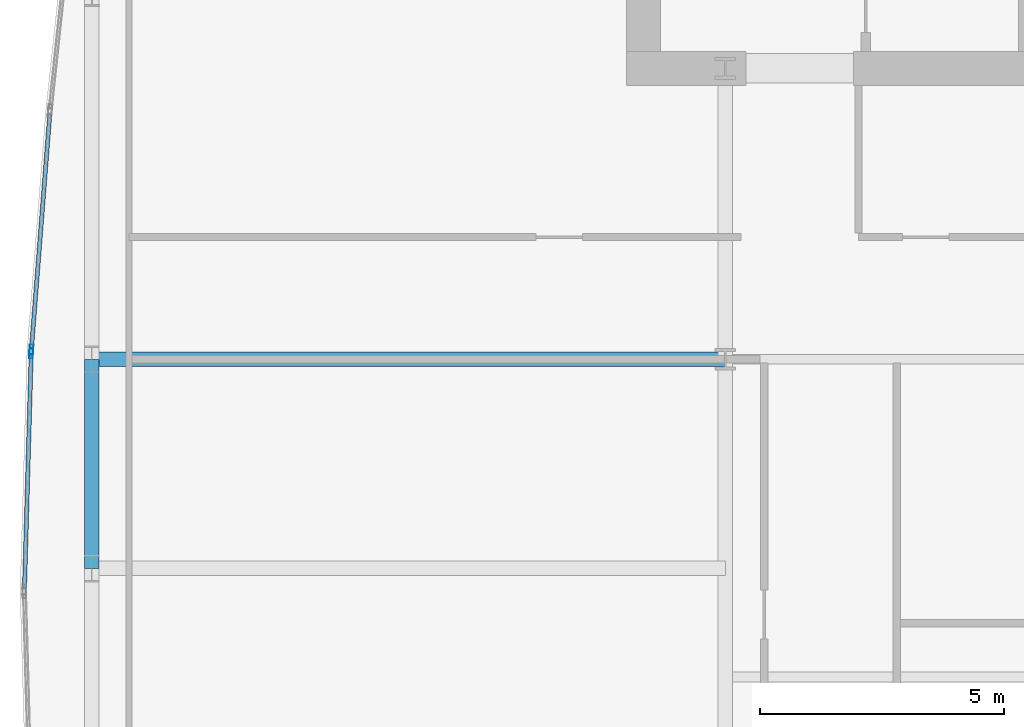
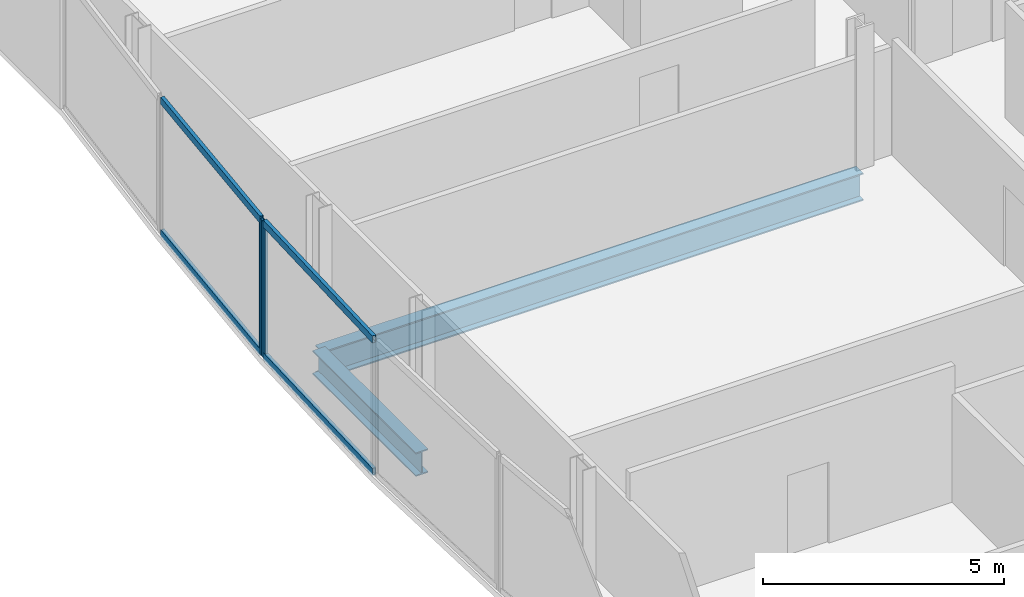
# One storey, part 11 of 29: 6 members, 2 beams, 2 elements without a shape of their own.
"""IFC4 building model written with IfcOpenShell, lengths in metres."""

from ifc_helpers import new_model, si_unit, direction, frame, origin, origin_2d, place, context, subcontext, project, spatial, hollow_rectangle, i_section, extrude, material, material_profile, profile_set, type_object, element, aggregate, save


model = new_model("IFC4")

# Units and contexts
model_context = context("Model", 3, precision=1e-05, world=origin(), true_north=direction((0.0, 1.0)))
body_context = subcontext(model_context, "Body", "Model", "MODEL_VIEW")
ifc_project = project(units=[si_unit("LENGTHUNIT", "METRE"), si_unit("AREAUNIT", "SQUARE_METRE"), si_unit("VOLUMEUNIT", "CUBIC_METRE"), si_unit("PLANEANGLEUNIT", "RADIAN"), si_unit("MASSUNIT", "GRAM", prefix="KILO")], contexts=[model_context])

# Site, building, storey
site_placement = place(None, origin())
site = spatial("IfcSite", under=ifc_project, at=site_placement, CompositionType="ELEMENT")
building_placement = place(site_placement, origin())
building = spatial("IfcBuilding", under=site, at=building_placement, Name="Khoronbel Lancet Exchange", CompositionType="ELEMENT")
storey_placement = place(building_placement, frame((0.0, 0.0, 139.800048828125)))
storey = spatial("IfcBuildingStorey", under=building, at=storey_placement, Name="L34", CompositionType="ELEMENT", Elevation=139.800048828125)

# Beams
ifc_material_1 = material(Name="Steel S355", Category="steel")
ifc_material_profile_1 = material_profile(ifc_material_1, i_section(OverallWidth=0.300048828125, OverallDepth=0.699951171875, WebThickness=0.01708984375, FlangeThickness=0.031982421875, at=origin_2d()), Name="HEB 700")
ifc_profile_set_1 = profile_set([ifc_material_profile_1], Name="Steel S355")
beam_type_1 = type_object("IfcBeamType", Name="BM-BG3", PredefinedType="BEAM", material=ifc_profile_set_1)
beam_1_placement = place(storey_placement, frame((5.27001953125, 35.699951171875, -0.510009765625), z_axis=(1.0, 0.0, 0.0), x_axis=(0.0, 1.0, 0.0)))
element("IfcBeam", 1, at=beam_1_placement, inside=storey, type_object=beam_type_1, Name="Level L34 west lens tie girder LG4W", PredefinedType="BEAM", context=body_context, shape_type="SweptSolid", body=[
    extrude(i_section(OverallWidth=0.300048828125, OverallDepth=0.699951171875, WebThickness=0.01708984375, FlangeThickness=0.031982421875, at=origin_2d()), origin(), (0.0, 0.0, 1.0), 12.955078125),
])
ifc_material_profile_2 = material_profile(ifc_material_1, i_section(OverallWidth=0.300048828125, OverallDepth=0.60009765625, WebThickness=0.015380859375, FlangeThickness=0.030029296875, at=origin_2d()), Name="HEB 600")
ifc_profile_set_2 = profile_set([ifc_material_profile_2], Name="Steel S355")
beam_type_2 = type_object("IfcBeamType", Name="BM-BSP2", PredefinedType="SPANDREL", material=ifc_profile_set_2)
beam_2_placement = place(storey_placement, frame((5.27001953125, 35.699951171875, -0.4599609375), z_axis=(0.0, -1.0, 0.0), x_axis=(1.0, 0.0, 0.0)))
element("IfcBeam", 2, at=beam_2_placement, inside=storey, type_object=beam_type_2, Name="Level L34 perimeter spandrel beam SP18", PredefinedType="SPANDREL", context=body_context, shape_type="SweptSolid", body=[
    extrude(i_section(OverallWidth=0.300048828125, OverallDepth=0.60009765625, WebThickness=0.015380859375, FlangeThickness=0.030029296875, at=origin_2d()), origin(), (0.0, 0.0, 1.0), 4.27490234375),
])

# Curtain wall, member
ifc_material_2 = material(Name="Low-E Solar Control Insulating Glass", Category="glass")
curtain_wall_type = type_object("IfcCurtainWallType", Name="CW-4", PredefinedType="NOTDEFINED", material=ifc_material_2)
curtain_wall_1_placement = place(storey_placement, origin())
curtain_wall_1 = element("IfcCurtainWall", 3, at=curtain_wall_1_placement, inside=storey, type_object=curtain_wall_type, Name="Unitised curtain wall CW-L34-E07", PredefinedType="NOTDEFINED")
ifc_material_3 = material(Name="Bronze-Anodised Aluminium 6063-T6", Category="aluminium")
ifc_material_profile_3 = material_profile(ifc_material_3, hollow_rectangle(XDim=0.074951171875, YDim=0.199951171875, WallThickness=0.0048828125, at=origin_2d()), Name="ALU MULLION 75x200")
ifc_profile_set_3 = profile_set([ifc_material_profile_3], Name="Bronze-Anodised Aluminium 6063-T6")
member_type_1 = type_object("IfcMemberType", Name="MEM-CWM2", PredefinedType="MULLION", material=ifc_profile_set_3)
member_1_placement = place(storey_placement, frame((4.029541015625, 35.824462890625, 0.0), z_axis=(0.0, 0.0, 1.0), x_axis=(-0.999590574553, 0.028612641702, 0.0)))
member_1 = element("IfcMember", 4, at=member_1_placement, type_object=member_type_1, Name="CW4 mullion 2", PredefinedType="MULLION", context=body_context, shape_type="SweptSolid", body=[
    extrude(hollow_rectangle(XDim=0.074951171875, YDim=0.199951171875, WallThickness=0.0048828125, at=origin_2d()), origin(), (0.0, 0.0, 1.0), 3.43994140625),
])

curtain_wall_2_placement = place(storey_placement, origin())
curtain_wall_2 = element("IfcCurtainWall", 5, at=curtain_wall_2_placement, inside=storey, type_object=curtain_wall_type, Name="Unitised curtain wall CW-L34-E08", PredefinedType="NOTDEFINED")
member_2_placement = place(storey_placement, frame((4.033447265625, 35.899169921875, 0.0), z_axis=(0.0, 0.0, 1.0), x_axis=(-0.996959555693, 0.077920756627, 0.0)))
member_2 = element("IfcMember", 6, at=member_2_placement, type_object=member_type_1, Name="CW4 mullion 1", PredefinedType="MULLION", context=body_context, shape_type="SweptSolid", body=[
    extrude(hollow_rectangle(XDim=0.074951171875, YDim=0.199951171875, WallThickness=0.0048828125, at=origin_2d()), origin(), (0.0, 0.0, 1.0), 3.43994140625),
])

# Member
ifc_material_profile_4 = material_profile(ifc_material_3, hollow_rectangle(XDim=0.0849609375, YDim=0.179931640625, WallThickness=0.0048828125, at=origin_2d()), Name="ALU TRANSOM 85x180")
ifc_profile_set_4 = profile_set([ifc_material_profile_4], Name="Bronze-Anodised Aluminium 6063-T6")
member_type_2 = type_object("IfcMemberType", Name="MEM-CWT1", PredefinedType="USERDEFINED", material=ifc_profile_set_4)
member_3_placement = place(storey_placement, frame((3.89208984375, 31.02490234375, 0.04248046875), z_axis=(0.02864755561, 0.999589574554, 0.0), x_axis=(-0.999589574554, 0.02864755561, 0.0)))
member_3 = element("IfcMember", 7, at=member_3_placement, type_object=member_type_2, Name="CW4 transom 1.1", ObjectType="TRANSOM", PredefinedType="USERDEFINED", context=body_context, shape_type="SweptSolid", body=[
    extrude(hollow_rectangle(XDim=0.0849609375, YDim=0.179931640625, WallThickness=0.0048828125, at=origin_2d()), origin(), (0.0, 0.0, 1.0), 4.763916015625),
])

member_4_placement = place(storey_placement, frame((3.89208984375, 31.02490234375, 3.3974609375), z_axis=(0.02864755561, 0.999589574554, 0.0), x_axis=(-0.999589574554, 0.02864755561, 0.0)))
member_4 = element("IfcMember", 8, at=member_4_placement, type_object=member_type_2, Name="CW4 transom 1.2", ObjectType="TRANSOM", PredefinedType="USERDEFINED", context=body_context, shape_type="SweptSolid", body=[
    extrude(hollow_rectangle(XDim=0.0849609375, YDim=0.179931640625, WallThickness=0.0048828125, at=origin_2d()), origin(), (0.0, 0.0, 1.0), 4.763916015625),
])

aggregate(curtain_wall_1, [member_1, member_3, member_4])

member_5_placement = place(storey_placement, frame((4.036376953125, 35.936767578125, 0.04248046875), z_axis=(0.077923377074, 0.996959350879, 0.0), x_axis=(-0.996959350879, 0.077923377074, 0.0)))
member_5 = element("IfcMember", 9, at=member_5_placement, type_object=member_type_2, Name="CW4 transom 1.1", ObjectType="TRANSOM", PredefinedType="USERDEFINED", context=body_context, shape_type="SweptSolid", body=[
    extrude(hollow_rectangle(XDim=0.0849609375, YDim=0.179931640625, WallThickness=0.0048828125, at=origin_2d()), origin(), (0.0, 0.0, 1.0), 4.778076171875),
])

member_6_placement = place(storey_placement, frame((4.036376953125, 35.936767578125, 3.3974609375), z_axis=(0.077923377074, 0.996959350879, 0.0), x_axis=(-0.996959350879, 0.077923377074, 0.0)))
member_6 = element("IfcMember", 10, at=member_6_placement, type_object=member_type_2, Name="CW4 transom 1.2", ObjectType="TRANSOM", PredefinedType="USERDEFINED", context=body_context, shape_type="SweptSolid", body=[
    extrude(hollow_rectangle(XDim=0.0849609375, YDim=0.179931640625, WallThickness=0.0048828125, at=origin_2d()), origin(), (0.0, 0.0, 1.0), 4.778076171875),
])

aggregate(curtain_wall_2, [member_2, member_5, member_6])

save(model, "model.ifc")
